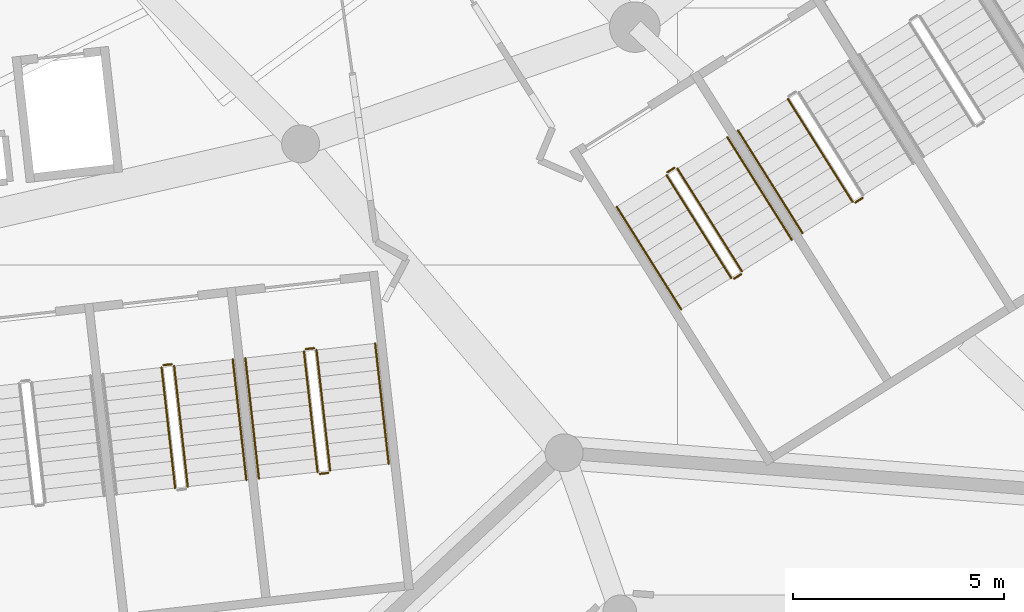
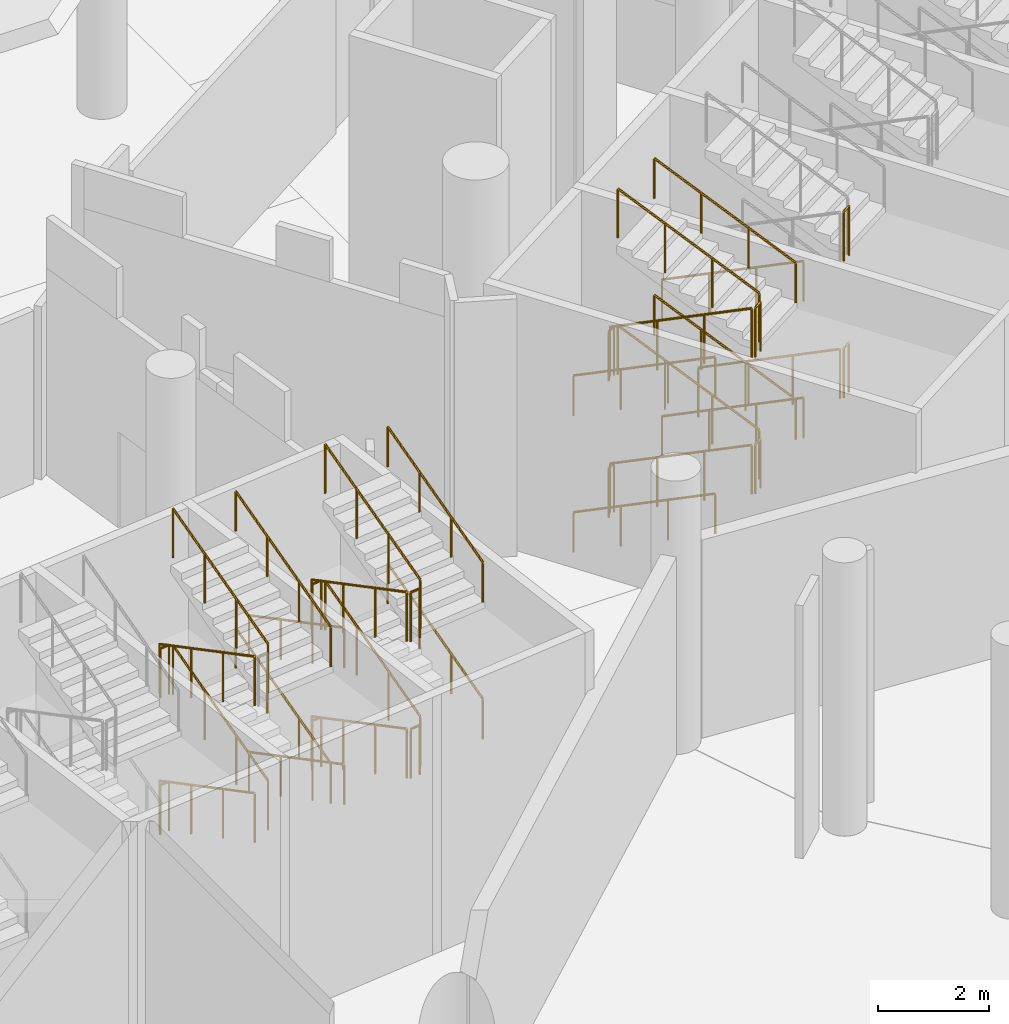
# One storey, part 217 of 249: 37 railings.
"""IFC4 building model written with IfcOpenShell, lengths in metres."""

from ifc_helpers import new_model, si_unit, direction, frame, origin, origin_2d, place, context, subcontext, project, spatial, circle, extrude, material, type_object, element, save


model = new_model("IFC4")

# Units and contexts
model_context = context("Model", 3, precision=1e-05, world=origin(), true_north=direction((0.0, 1.0)))
body_context = subcontext(model_context, "Body", "Model", "MODEL_VIEW")
ifc_project = project(units=[si_unit("LENGTHUNIT", "METRE"), si_unit("AREAUNIT", "SQUARE_METRE"), si_unit("VOLUMEUNIT", "CUBIC_METRE"), si_unit("PLANEANGLEUNIT", "RADIAN"), si_unit("MASSUNIT", "GRAM", prefix="KILO")], contexts=[model_context])

# Site, building, storey
site_placement = place(None, origin())
site = spatial("IfcSite", under=ifc_project, at=site_placement, CompositionType="ELEMENT")
building_placement = place(site_placement, origin())
building = spatial("IfcBuilding", under=site, at=building_placement, Name="Meseta Stadium", CompositionType="ELEMENT")
storey_placement = place(building_placement, frame((0.0, 0.0, 12.0)))
storey = spatial("IfcBuildingStorey", under=building, at=storey_placement, Name="L02", CompositionType="ELEMENT", Elevation=12.0)

# Railings
ifc_material_1 = material(Name="Steel S355", Category="steel")
railing_type_1 = type_object("IfcRailingType", Name="Stair guard 1100", PredefinedType="GUARDRAIL", material=ifc_material_1)
railing_1_placement = place(storey_placement, frame((52.500244140625, -93.847900390625, 0.14990234375)))
element("IfcRailing", 1, at=railing_1_placement, inside=storey, type_object=railing_type_1, Name="ST103 L02 guard 1", PredefinedType="GUARDRAIL", context=body_context, shape_type="SweptSolid", body=[
    extrude(circle(Radius=0.02392578125, at=origin_2d()), frame((0.0, 0.0, 1.076171875), z_axis=(0.10139626197, -0.899747905232, 0.424467319223), x_axis=(0.993709872468, 0.111985219376, 0.0)), (0.0, 0.0, 1.0), 3.1806640625),
    extrude(circle(Radius=0.02099609375, at=origin_2d()), origin(), (0.0, 0.0, 1.0), 1.052001953125),
    extrude(circle(Radius=0.02099609375, at=origin_2d()), frame((0.107421875, -0.953857421875, 0.449951171875)), (0.0, 0.0, 1.0), 1.052001953125),
    extrude(circle(Radius=0.02099609375, at=origin_2d()), frame((0.215087890625, -1.907958984375, 0.900146484375)), (0.0, 0.0, 1.0), 1.052001953125),
    extrude(circle(Radius=0.02099609375, at=origin_2d()), frame((0.322509765625, -2.86181640625, 1.35009765625)), (0.0, 0.0, 1.0), 1.052001953125),
])
railing_2_placement = place(storey_placement, frame((53.120849609375, -96.67626953125, 1.64990234375)))
element("IfcRailing", 2, at=railing_2_placement, inside=storey, type_object=railing_type_1, Name="ST103 L02 guard 3", PredefinedType="GUARDRAIL", context=body_context, shape_type="SweptSolid", body=[
    extrude(circle(Radius=0.02392578125, at=origin_2d()), frame((0.0, 0.0, 1.076171875), z_axis=(-0.101389259755, 0.899762522411, 0.424438006392), x_axis=(-0.993710935447, -0.11197578655, 0.0)), (0.0, 0.0, 1.0), 3.180908203125),
    extrude(circle(Radius=0.02099609375, at=origin_2d()), origin(), (0.0, 0.0, 1.0), 1.052001953125),
    extrude(circle(Radius=0.02099609375, at=origin_2d()), frame((-0.107421875, 0.9541015625, 0.449951171875)), (0.0, 0.0, 1.0), 1.052001953125),
    extrude(circle(Radius=0.02099609375, at=origin_2d()), frame((-0.215087890625, 1.907958984375, 0.900146484375)), (0.0, 0.0, 1.0), 1.052001953125),
    extrude(circle(Radius=0.02099609375, at=origin_2d()), frame((-0.322509765625, 2.862060546875, 1.35009765625)), (0.0, 0.0, 1.0), 1.052001953125),
])
railing_3_placement = place(storey_placement, frame((52.54443359375, -93.792724609375, 3.0)))
element("IfcRailing", 3, at=railing_3_placement, inside=storey, type_object=railing_type_1, Name="ST103 L02 guard 4", PredefinedType="GUARDRAIL", context=body_context, shape_type="SweptSolid", body=[
    extrude(circle(Radius=0.02392578125, at=origin_2d()), frame((0.0, 0.0, 1.076171875), z_axis=(0.993673547442, 0.112307083986, 0.0), x_axis=(-0.112307083986, 0.993673547442, 0.0)), (0.0, 0.0, 1.0), 0.199951171875),
    extrude(circle(Radius=0.02099609375, at=origin_2d()), origin(), (0.0, 0.0, 1.0), 1.052001953125),
    extrude(circle(Radius=0.02099609375, at=origin_2d()), frame((0.19873046875, 0.0224609375, 0.0)), (0.0, 0.0, 1.0), 1.052001953125),
])
railing_4_placement = place(storey_placement, frame((52.500244140625, -93.847900390625, 3.14990234375)))
element("IfcRailing", 4, at=railing_4_placement, inside=storey, type_object=railing_type_1, Name="ST103 L02 guard 5", PredefinedType="GUARDRAIL", context=body_context, shape_type="SweptSolid", body=[
    extrude(circle(Radius=0.02392578125, at=origin_2d()), frame((0.0, 0.0, 1.076171875), z_axis=(0.10139626197, -0.899747905232, 0.424467319223), x_axis=(0.993709872468, 0.111985219376, 0.0)), (0.0, 0.0, 1.0), 3.1806640625),
    extrude(circle(Radius=0.02099609375, at=origin_2d()), origin(), (0.0, 0.0, 1.0), 1.052001953125),
    extrude(circle(Radius=0.02099609375, at=origin_2d()), frame((0.107421875, -0.953857421875, 0.449951171875)), (0.0, 0.0, 1.0), 1.052001953125),
    extrude(circle(Radius=0.02099609375, at=origin_2d()), frame((0.215087890625, -1.907958984375, 0.900146484375)), (0.0, 0.0, 1.0), 1.052001953125),
    extrude(circle(Radius=0.02099609375, at=origin_2d()), frame((0.322509765625, -2.86181640625, 1.35009765625)), (0.0, 0.0, 1.0), 1.052001953125),
])
railing_5_placement = place(storey_placement, frame((53.120849609375, -96.67626953125, 4.64990234375)))
element("IfcRailing", 5, at=railing_5_placement, inside=storey, type_object=railing_type_1, Name="ST103 L02 guard 7", PredefinedType="GUARDRAIL", context=body_context, shape_type="SweptSolid", body=[
    extrude(circle(Radius=0.02392578125, at=origin_2d()), frame((0.0, 0.0, 1.076171875), z_axis=(-0.101389259755, 0.899762522411, 0.424438006392), x_axis=(-0.993710935447, -0.11197578655, 0.0)), (0.0, 0.0, 1.0), 3.180908203125),
    extrude(circle(Radius=0.02099609375, at=origin_2d()), origin(), (0.0, 0.0, 1.0), 1.052001953125),
    extrude(circle(Radius=0.02099609375, at=origin_2d()), frame((-0.107421875, 0.9541015625, 0.449951171875)), (0.0, 0.0, 1.0), 1.052001953125),
    extrude(circle(Radius=0.02099609375, at=origin_2d()), frame((-0.215087890625, 1.907958984375, 0.900146484375)), (0.0, 0.0, 1.0), 1.052001953125),
    extrude(circle(Radius=0.02099609375, at=origin_2d()), frame((-0.322509765625, 2.862060546875, 1.35009765625)), (0.0, 0.0, 1.0), 1.052001953125),
])
railing_6_placement = place(storey_placement, frame((52.54443359375, -93.792724609375, 0.0)))
element("IfcRailing", 6, at=railing_6_placement, inside=storey, type_object=railing_type_1, Name="ST103 L02 guard 8", PredefinedType="GUARDRAIL", context=body_context, shape_type="SweptSolid", body=[
    extrude(circle(Radius=0.02392578125, at=origin_2d()), frame((0.0, 0.0, 1.076171875), z_axis=(0.993673547442, 0.112307083986, 0.0), x_axis=(-0.112307083986, 0.993673547442, 0.0)), (0.0, 0.0, 1.0), 0.199951171875),
    extrude(circle(Radius=0.02099609375, at=origin_2d()), origin(), (0.0, 0.0, 1.0), 1.052001953125),
    extrude(circle(Radius=0.02099609375, at=origin_2d()), frame((0.19873046875, 0.0224609375, 0.0)), (0.0, 0.0, 1.0), 1.052001953125),
])
railing_7_placement = place(storey_placement, frame((55.87890625, -93.46728515625, 0.14990234375)))
element("IfcRailing", 7, at=railing_7_placement, inside=storey, type_object=railing_type_1, Name="ST104 L02 guard 1", PredefinedType="GUARDRAIL", context=body_context, shape_type="SweptSolid", body=[
    extrude(circle(Radius=0.02392578125, at=origin_2d()), frame((0.0, 0.0, 1.076171875), z_axis=(0.10139626197, -0.899747905232, 0.424467319223), x_axis=(0.993709872468, 0.111985219376, 0.0)), (0.0, 0.0, 1.0), 3.1806640625),
    extrude(circle(Radius=0.02099609375, at=origin_2d()), origin(), (0.0, 0.0, 1.0), 1.052001953125),
    extrude(circle(Radius=0.02099609375, at=origin_2d()), frame((0.107421875, -0.953857421875, 0.449951171875)), (0.0, 0.0, 1.0), 1.052001953125),
    extrude(circle(Radius=0.02099609375, at=origin_2d()), frame((0.215087890625, -1.907958984375, 0.900146484375)), (0.0, 0.0, 1.0), 1.052001953125),
    extrude(circle(Radius=0.02099609375, at=origin_2d()), frame((0.322509765625, -2.86181640625, 1.35009765625)), (0.0, 0.0, 1.0), 1.052001953125),
])
railing_8_placement = place(storey_placement, frame((56.256591796875, -96.373291015625, 1.5)))
element("IfcRailing", 8, at=railing_8_placement, inside=storey, type_object=railing_type_1, Name="ST104 L02 guard 2", PredefinedType="GUARDRAIL", context=body_context, shape_type="SweptSolid", body=[
    extrude(circle(Radius=0.02392578125, at=origin_2d()), frame((0.0, 0.0, 1.076171875), z_axis=(0.993673547442, 0.112307083986, 0.0), x_axis=(-0.112307083986, 0.993673547442, 0.0)), (0.0, 0.0, 1.0), 0.199951171875),
    extrude(circle(Radius=0.02099609375, at=origin_2d()), origin(), (0.0, 0.0, 1.0), 1.052001953125),
    extrude(circle(Radius=0.02099609375, at=origin_2d()), frame((0.19873046875, 0.0224609375, 0.0)), (0.0, 0.0, 1.0), 1.052001953125),
])
railing_9_placement = place(storey_placement, frame((56.49951171875, -96.29541015625, 1.64990234375)))
element("IfcRailing", 9, at=railing_9_placement, inside=storey, type_object=railing_type_1, Name="ST104 L02 guard 3", PredefinedType="GUARDRAIL", context=body_context, shape_type="SweptSolid", body=[
    extrude(circle(Radius=0.02392578125, at=origin_2d()), frame((0.0, 0.0, 1.076171875), z_axis=(-0.10139626197, 0.899747905232, 0.424467319223), x_axis=(-0.993709872468, -0.111985219376, 0.0)), (0.0, 0.0, 1.0), 3.1806640625),
    extrude(circle(Radius=0.02099609375, at=origin_2d()), origin(), (0.0, 0.0, 1.0), 1.052001953125),
    extrude(circle(Radius=0.02099609375, at=origin_2d()), frame((-0.107421875, 0.953857421875, 0.449951171875)), (0.0, 0.0, 1.0), 1.052001953125),
    extrude(circle(Radius=0.02099609375, at=origin_2d()), frame((-0.215087890625, 1.907958984375, 0.900146484375)), (0.0, 0.0, 1.0), 1.052001953125),
    extrude(circle(Radius=0.02099609375, at=origin_2d()), frame((-0.322509765625, 2.86181640625, 1.35009765625)), (0.0, 0.0, 1.0), 1.052001953125),
])
railing_10_placement = place(storey_placement, frame((55.923095703125, -93.411865234375, 3.0)))
element("IfcRailing", 10, at=railing_10_placement, inside=storey, type_object=railing_type_1, Name="ST104 L02 guard 4", PredefinedType="GUARDRAIL", context=body_context, shape_type="SweptSolid", body=[
    extrude(circle(Radius=0.02392578125, at=origin_2d()), frame((0.0, 0.0, 1.076171875), z_axis=(0.993809063983, 0.111101504696, 0.0), x_axis=(-0.111101504696, 0.993809063983, 0.0)), (0.0, 0.0, 1.0), 0.199951171875),
    extrude(circle(Radius=0.02099609375, at=origin_2d()), origin(), (0.0, 0.0, 1.0), 1.052001953125),
    extrude(circle(Radius=0.02099609375, at=origin_2d()), frame((0.19873046875, 0.022216796875, 0.0)), (0.0, 0.0, 1.0), 1.052001953125),
])
railing_11_placement = place(storey_placement, frame((55.87890625, -93.46728515625, 3.14990234375)))
element("IfcRailing", 11, at=railing_11_placement, inside=storey, type_object=railing_type_1, Name="ST104 L02 guard 5", PredefinedType="GUARDRAIL", context=body_context, shape_type="SweptSolid", body=[
    extrude(circle(Radius=0.02392578125, at=origin_2d()), frame((0.0, 0.0, 1.076171875), z_axis=(0.10139626197, -0.899747905232, 0.424467319223), x_axis=(0.993709872468, 0.111985219376, 0.0)), (0.0, 0.0, 1.0), 3.1806640625),
    extrude(circle(Radius=0.02099609375, at=origin_2d()), origin(), (0.0, 0.0, 1.0), 1.052001953125),
    extrude(circle(Radius=0.02099609375, at=origin_2d()), frame((0.107421875, -0.953857421875, 0.449951171875)), (0.0, 0.0, 1.0), 1.052001953125),
    extrude(circle(Radius=0.02099609375, at=origin_2d()), frame((0.215087890625, -1.907958984375, 0.900146484375)), (0.0, 0.0, 1.0), 1.052001953125),
    extrude(circle(Radius=0.02099609375, at=origin_2d()), frame((0.322509765625, -2.86181640625, 1.35009765625)), (0.0, 0.0, 1.0), 1.052001953125),
])
railing_12_placement = place(storey_placement, frame((56.256591796875, -96.373291015625, 4.5)))
element("IfcRailing", 12, at=railing_12_placement, inside=storey, type_object=railing_type_1, Name="ST104 L02 guard 6", PredefinedType="GUARDRAIL", context=body_context, shape_type="SweptSolid", body=[
    extrude(circle(Radius=0.02392578125, at=origin_2d()), frame((0.0, 0.0, 1.076171875), z_axis=(0.993673547442, 0.112307083986, 0.0), x_axis=(-0.112307083986, 0.993673547442, 0.0)), (0.0, 0.0, 1.0), 0.199951171875),
    extrude(circle(Radius=0.02099609375, at=origin_2d()), origin(), (0.0, 0.0, 1.0), 1.052001953125),
    extrude(circle(Radius=0.02099609375, at=origin_2d()), frame((0.19873046875, 0.0224609375, 0.0)), (0.0, 0.0, 1.0), 1.052001953125),
])
railing_13_placement = place(storey_placement, frame((56.49951171875, -96.29541015625, 4.64990234375)))
element("IfcRailing", 13, at=railing_13_placement, inside=storey, type_object=railing_type_1, Name="ST104 L02 guard 7", PredefinedType="GUARDRAIL", context=body_context, shape_type="SweptSolid", body=[
    extrude(circle(Radius=0.02392578125, at=origin_2d()), frame((0.0, 0.0, 1.076171875), z_axis=(-0.10139626197, 0.899747905232, 0.424467319223), x_axis=(-0.993709872468, -0.111985219376, 0.0)), (0.0, 0.0, 1.0), 3.1806640625),
    extrude(circle(Radius=0.02099609375, at=origin_2d()), origin(), (0.0, 0.0, 1.0), 1.052001953125),
    extrude(circle(Radius=0.02099609375, at=origin_2d()), frame((-0.107421875, 0.953857421875, 0.449951171875)), (0.0, 0.0, 1.0), 1.052001953125),
    extrude(circle(Radius=0.02099609375, at=origin_2d()), frame((-0.215087890625, 1.907958984375, 0.900146484375)), (0.0, 0.0, 1.0), 1.052001953125),
    extrude(circle(Radius=0.02099609375, at=origin_2d()), frame((-0.322509765625, 2.86181640625, 1.35009765625)), (0.0, 0.0, 1.0), 1.052001953125),
])
railing_14_placement = place(storey_placement, frame((55.923095703125, -93.411865234375, 0.0)))
element("IfcRailing", 14, at=railing_14_placement, inside=storey, type_object=railing_type_1, Name="ST104 L02 guard 8", PredefinedType="GUARDRAIL", context=body_context, shape_type="SweptSolid", body=[
    extrude(circle(Radius=0.02392578125, at=origin_2d()), frame((0.0, 0.0, 1.076171875), z_axis=(0.993809063983, 0.111101504696, 0.0), x_axis=(-0.111101504696, 0.993809063983, 0.0)), (0.0, 0.0, 1.0), 0.199951171875),
    extrude(circle(Radius=0.02099609375, at=origin_2d()), origin(), (0.0, 0.0, 1.0), 1.052001953125),
    extrude(circle(Radius=0.02099609375, at=origin_2d()), frame((0.19873046875, 0.022216796875, 0.0)), (0.0, 0.0, 1.0), 1.052001953125),
])
railing_15_placement = place(storey_placement, frame((64.4853515625, -89.286865234375, 0.14990234375)))
element("IfcRailing", 15, at=railing_15_placement, inside=storey, type_object=railing_type_1, Name="ST105 L02 guard 1", PredefinedType="GUARDRAIL", context=body_context, shape_type="SweptSolid", body=[
    extrude(circle(Radius=0.02392578125, at=origin_2d()), frame((0.0, 0.0, 1.076171875), z_axis=(0.481702688975, -0.766687087345, 0.424444848635), x_axis=(0.84674347122, 0.532001404082, 0.0)), (0.0, 0.0, 1.0), 3.180908203125),
    extrude(circle(Radius=0.02099609375, at=origin_2d()), origin(), (0.0, 0.0, 1.0), 1.052001953125),
    extrude(circle(Radius=0.02099609375, at=origin_2d()), frame((0.5107421875, -0.81298828125, 0.449951171875)), (0.0, 0.0, 1.0), 1.052001953125),
    extrude(circle(Radius=0.02099609375, at=origin_2d()), frame((1.021484375, -1.625732421875, 0.900146484375)), (0.0, 0.0, 1.0), 1.052001953125),
    extrude(circle(Radius=0.02099609375, at=origin_2d()), frame((1.5322265625, -2.438720703125, 1.35009765625)), (0.0, 0.0, 1.0), 1.052001953125),
])
railing_16_placement = place(storey_placement, frame((66.08642578125, -91.7412109375, 1.5)))
element("IfcRailing", 16, at=railing_16_placement, inside=storey, type_object=railing_type_1, Name="ST105 L02 guard 2", PredefinedType="GUARDRAIL", context=body_context, shape_type="SweptSolid", body=[
    extrude(circle(Radius=0.02392578125, at=origin_2d()), frame((0.0, 0.0, 1.076171875), z_axis=(0.846762178531, 0.531971628011, 0.0), x_axis=(-0.531971628011, 0.846762178531, 0.0)), (0.0, 0.0, 1.0), 0.2001953125),
    extrude(circle(Radius=0.02099609375, at=origin_2d()), origin(), (0.0, 0.0, 1.0), 1.052001953125),
    extrude(circle(Radius=0.02099609375, at=origin_2d()), frame((0.16943359375, 0.1064453125, 0.0)), (0.0, 0.0, 1.0), 1.052001953125),
])
railing_17_placement = place(storey_placement, frame((66.271484375, -91.56591796875, 1.64990234375)))
element("IfcRailing", 17, at=railing_17_placement, inside=storey, type_object=railing_type_1, Name="ST105 L02 guard 3", PredefinedType="GUARDRAIL", context=body_context, shape_type="SweptSolid", body=[
    extrude(circle(Radius=0.02392578125, at=origin_2d()), frame((0.0, 0.0, 1.076171875), z_axis=(-0.481731036161, 0.766655447606, 0.424469826318), x_axis=(-0.846719477248, -0.53203959143, 0.0)), (0.0, 0.0, 1.0), 3.1806640625),
    extrude(circle(Radius=0.02099609375, at=origin_2d()), origin(), (0.0, 0.0, 1.0), 1.052001953125),
    extrude(circle(Radius=0.02099609375, at=origin_2d()), frame((-0.5107421875, 0.812744140625, 0.449951171875)), (0.0, 0.0, 1.0), 1.052001953125),
    extrude(circle(Radius=0.02099609375, at=origin_2d()), frame((-1.021484375, 1.625732421875, 0.900146484375)), (0.0, 0.0, 1.0), 1.052001953125),
    extrude(circle(Radius=0.02099609375, at=origin_2d()), frame((-1.5322265625, 2.4384765625, 1.35009765625)), (0.0, 0.0, 1.0), 1.052001953125),
])
railing_18_placement = place(storey_placement, frame((64.5009765625, -89.218017578125, 3.0)))
element("IfcRailing", 18, at=railing_18_placement, inside=storey, type_object=railing_type_1, Name="ST105 L02 guard 4", PredefinedType="GUARDRAIL", context=body_context, shape_type="SweptSolid", body=[
    extrude(circle(Radius=0.02392578125, at=origin_2d()), frame((0.0, 0.0, 1.076171875), z_axis=(0.846762178531, 0.531971628011, 0.0), x_axis=(-0.531971628011, 0.846762178531, 0.0)), (0.0, 0.0, 1.0), 0.2001953125),
    extrude(circle(Radius=0.02099609375, at=origin_2d()), origin(), (0.0, 0.0, 1.0), 1.052001953125),
    extrude(circle(Radius=0.02099609375, at=origin_2d()), frame((0.16943359375, 0.1064453125, 0.0)), (0.0, 0.0, 1.0), 1.052001953125),
])
railing_19_placement = place(storey_placement, frame((64.4853515625, -89.286865234375, 3.14990234375)))
element("IfcRailing", 19, at=railing_19_placement, inside=storey, type_object=railing_type_1, Name="ST105 L02 guard 5", PredefinedType="GUARDRAIL", context=body_context, shape_type="SweptSolid", body=[
    extrude(circle(Radius=0.02392578125, at=origin_2d()), frame((0.0, 0.0, 1.076171875), z_axis=(0.481702688975, -0.766687087345, 0.424444848635), x_axis=(0.84674347122, 0.532001404082, 0.0)), (0.0, 0.0, 1.0), 3.180908203125),
    extrude(circle(Radius=0.02099609375, at=origin_2d()), origin(), (0.0, 0.0, 1.0), 1.052001953125),
    extrude(circle(Radius=0.02099609375, at=origin_2d()), frame((0.5107421875, -0.81298828125, 0.449951171875)), (0.0, 0.0, 1.0), 1.052001953125),
    extrude(circle(Radius=0.02099609375, at=origin_2d()), frame((1.021484375, -1.625732421875, 0.900146484375)), (0.0, 0.0, 1.0), 1.052001953125),
    extrude(circle(Radius=0.02099609375, at=origin_2d()), frame((1.5322265625, -2.438720703125, 1.35009765625)), (0.0, 0.0, 1.0), 1.052001953125),
])
railing_20_placement = place(storey_placement, frame((66.08642578125, -91.7412109375, 4.5)))
element("IfcRailing", 20, at=railing_20_placement, inside=storey, type_object=railing_type_1, Name="ST105 L02 guard 6", PredefinedType="GUARDRAIL", context=body_context, shape_type="SweptSolid", body=[
    extrude(circle(Radius=0.02392578125, at=origin_2d()), frame((0.0, 0.0, 1.076171875), z_axis=(0.846762178531, 0.531971628011, 0.0), x_axis=(-0.531971628011, 0.846762178531, 0.0)), (0.0, 0.0, 1.0), 0.2001953125),
    extrude(circle(Radius=0.02099609375, at=origin_2d()), origin(), (0.0, 0.0, 1.0), 1.052001953125),
    extrude(circle(Radius=0.02099609375, at=origin_2d()), frame((0.16943359375, 0.1064453125, 0.0)), (0.0, 0.0, 1.0), 1.052001953125),
])
railing_21_placement = place(storey_placement, frame((66.271484375, -91.56591796875, 4.64990234375)))
element("IfcRailing", 21, at=railing_21_placement, inside=storey, type_object=railing_type_1, Name="ST105 L02 guard 7", PredefinedType="GUARDRAIL", context=body_context, shape_type="SweptSolid", body=[
    extrude(circle(Radius=0.02392578125, at=origin_2d()), frame((0.0, 0.0, 1.076171875), z_axis=(-0.481731036161, 0.766655447606, 0.424469826318), x_axis=(-0.846719477248, -0.53203959143, 0.0)), (0.0, 0.0, 1.0), 3.1806640625),
    extrude(circle(Radius=0.02099609375, at=origin_2d()), origin(), (0.0, 0.0, 1.0), 1.052001953125),
    extrude(circle(Radius=0.02099609375, at=origin_2d()), frame((-0.5107421875, 0.812744140625, 0.449951171875)), (0.0, 0.0, 1.0), 1.052001953125),
    extrude(circle(Radius=0.02099609375, at=origin_2d()), frame((-1.021484375, 1.625732421875, 0.900146484375)), (0.0, 0.0, 1.0), 1.052001953125),
    extrude(circle(Radius=0.02099609375, at=origin_2d()), frame((-1.5322265625, 2.4384765625, 1.35009765625)), (0.0, 0.0, 1.0), 1.052001953125),
])
railing_22_placement = place(storey_placement, frame((64.5009765625, -89.218017578125, 0.0)))
element("IfcRailing", 22, at=railing_22_placement, inside=storey, type_object=railing_type_1, Name="ST105 L02 guard 8", PredefinedType="GUARDRAIL", context=body_context, shape_type="SweptSolid", body=[
    extrude(circle(Radius=0.02392578125, at=origin_2d()), frame((0.0, 0.0, 1.076171875), z_axis=(0.846762178531, 0.531971628011, 0.0), x_axis=(-0.531971628011, 0.846762178531, 0.0)), (0.0, 0.0, 1.0), 0.2001953125),
    extrude(circle(Radius=0.02099609375, at=origin_2d()), origin(), (0.0, 0.0, 1.0), 1.052001953125),
    extrude(circle(Radius=0.02099609375, at=origin_2d()), frame((0.16943359375, 0.1064453125, 0.0)), (0.0, 0.0, 1.0), 1.052001953125),
])
railing_23_placement = place(storey_placement, frame((67.3642578125, -87.47802734375, 0.14990234375)))
element("IfcRailing", 23, at=railing_23_placement, inside=storey, type_object=railing_type_1, Name="ST106 L02 guard 1", PredefinedType="GUARDRAIL", context=body_context, shape_type="SweptSolid", body=[
    extrude(circle(Radius=0.02392578125, at=origin_2d()), frame((0.0, 0.0, 1.076171875), z_axis=(0.481702688975, -0.766687087345, 0.424444848635), x_axis=(0.84674347122, 0.532001404082, 0.0)), (0.0, 0.0, 1.0), 3.180908203125),
    extrude(circle(Radius=0.02099609375, at=origin_2d()), origin(), (0.0, 0.0, 1.0), 1.052001953125),
    extrude(circle(Radius=0.02099609375, at=origin_2d()), frame((0.5107421875, -0.81298828125, 0.449951171875)), (0.0, 0.0, 1.0), 1.052001953125),
    extrude(circle(Radius=0.02099609375, at=origin_2d()), frame((1.021484375, -1.625732421875, 0.900146484375)), (0.0, 0.0, 1.0), 1.052001953125),
    extrude(circle(Radius=0.02099609375, at=origin_2d()), frame((1.5322265625, -2.438720703125, 1.35009765625)), (0.0, 0.0, 1.0), 1.052001953125),
])
for number, where, name in (
    (24, (68.96533203125, -89.932373046875, 1.5), "ST106 L02 guard 2"),
    (25, (68.96533203125, -89.932373046875, 4.5), "ST106 L02 guard 6"),
):
    element("IfcRailing", number, at=place(storey_placement, frame(where)), inside=storey, type_object=railing_type_1, Name=name, PredefinedType="GUARDRAIL", context=body_context, shape_type="SweptSolid", body=[
        extrude(circle(Radius=0.02392578125, at=origin_2d()), frame((0.0, 0.0, 1.076171875), z_axis=(0.846762178531, 0.531971628011, 0.0), x_axis=(-0.531971628011, 0.846762178531, 0.0)), (0.0, 0.0, 1.0), 0.2001953125),
        extrude(circle(Radius=0.02099609375, at=origin_2d()), origin(), (0.0, 0.0, 1.0), 1.052001953125),
        extrude(circle(Radius=0.02099609375, at=origin_2d()), frame((0.16943359375, 0.1064453125, 0.0)), (0.0, 0.0, 1.0), 1.052001953125),
    ])
ifc_material_2 = material(Name="Steel S355", Category="steel")
railing_type_2 = type_object("IfcRailingType", Name="Stair handrail 900", PredefinedType="HANDRAIL", material=ifc_material_2)
for number, where, name in (
    (26, (54.511962890625, -96.51953125, 1.64990234375), "ST103 L02 handrail 2"),
    (27, (54.511962890625, -96.51953125, 4.64990234375), "ST103 L02 handrail 4"),
):
    element("IfcRailing", number, at=place(storey_placement, frame(where)), inside=storey, type_object=railing_type_2, Name=name, PredefinedType="HANDRAIL", context=body_context, shape_type="SweptSolid", body=[
        extrude(circle(Radius=0.02392578125, at=origin_2d()), frame((0.0, 0.0, 0.8759765625), z_axis=(-0.101313295961, 0.899769521631, 0.42444130808), x_axis=(-0.993720364048, -0.111892082278, 0.0)), (0.0, 0.0, 1.0), 3.180908203125),
        extrude(circle(Radius=0.02099609375, at=origin_2d()), origin(), (0.0, 0.0, 1.0), 0.851806640625),
        extrude(circle(Radius=0.02099609375, at=origin_2d()), frame((-0.107421875, 0.9541015625, 0.449951171875)), (0.0, 0.0, 1.0), 0.851806640625),
        extrude(circle(Radius=0.02099609375, at=origin_2d()), frame((-0.21484375, 1.907958984375, 0.900146484375)), (0.0, 0.0, 1.0), 0.851806640625),
        extrude(circle(Radius=0.02099609375, at=origin_2d()), frame((-0.322265625, 2.862060546875, 1.35009765625)), (0.0, 0.0, 1.0), 0.851806640625),
    ])
railing_24_placement = place(storey_placement, frame((54.48779296875, -93.6240234375, 0.14990234375)))
element("IfcRailing", 28, at=railing_24_placement, inside=storey, type_object=railing_type_2, Name="ST104 L02 handrail 1", PredefinedType="HANDRAIL", context=body_context, shape_type="SweptSolid", body=[
    extrude(circle(Radius=0.02392578125, at=origin_2d()), frame((0.0, 0.0, 0.8759765625), z_axis=(0.101320293039, -0.899754905305, 0.424470621595), x_axis=(0.993719302648, 0.111901508232, 0.0)), (0.0, 0.0, 1.0), 3.1806640625),
    extrude(circle(Radius=0.02099609375, at=origin_2d()), origin(), (0.0, 0.0, 1.0), 0.851806640625),
    extrude(circle(Radius=0.02099609375, at=origin_2d()), frame((0.107421875, -0.953857421875, 0.449951171875)), (0.0, 0.0, 1.0), 0.851806640625),
    extrude(circle(Radius=0.02099609375, at=origin_2d()), frame((0.21484375, -1.907958984375, 0.900146484375)), (0.0, 0.0, 1.0), 0.851806640625),
    extrude(circle(Radius=0.02099609375, at=origin_2d()), frame((0.322265625, -2.86181640625, 1.35009765625)), (0.0, 0.0, 1.0), 0.851806640625),
])
railing_25_placement = place(storey_placement, frame((57.890625, -96.138671875, 1.64990234375)))
element("IfcRailing", 29, at=railing_25_placement, inside=storey, type_object=railing_type_2, Name="ST104 L02 handrail 2", PredefinedType="HANDRAIL", context=body_context, shape_type="SweptSolid", body=[
    extrude(circle(Radius=0.02392578125, at=origin_2d()), frame((0.0, 0.0, 0.8759765625), z_axis=(-0.10139626197, 0.899747905232, 0.424467319223), x_axis=(-0.993709872468, -0.111985219376, 0.0)), (0.0, 0.0, 1.0), 3.1806640625),
    extrude(circle(Radius=0.02099609375, at=origin_2d()), origin(), (0.0, 0.0, 1.0), 0.851806640625),
    extrude(circle(Radius=0.02099609375, at=origin_2d()), frame((-0.107421875, 0.953857421875, 0.449951171875)), (0.0, 0.0, 1.0), 0.851806640625),
    extrude(circle(Radius=0.02099609375, at=origin_2d()), frame((-0.215087890625, 1.907958984375, 0.900146484375)), (0.0, 0.0, 1.0), 0.851806640625),
    extrude(circle(Radius=0.02099609375, at=origin_2d()), frame((-0.322509765625, 2.86181640625, 1.35009765625)), (0.0, 0.0, 1.0), 0.851806640625),
])
railing_26_placement = place(storey_placement, frame((54.48779296875, -93.6240234375, 3.14990234375)))
element("IfcRailing", 30, at=railing_26_placement, inside=storey, type_object=railing_type_2, Name="ST104 L02 handrail 3", PredefinedType="HANDRAIL", context=body_context, shape_type="SweptSolid", body=[
    extrude(circle(Radius=0.02392578125, at=origin_2d()), frame((0.0, 0.0, 0.8759765625), z_axis=(0.101320293039, -0.899754905305, 0.424470621595), x_axis=(0.993719302648, 0.111901508232, 0.0)), (0.0, 0.0, 1.0), 3.1806640625),
    extrude(circle(Radius=0.02099609375, at=origin_2d()), origin(), (0.0, 0.0, 1.0), 0.851806640625),
    extrude(circle(Radius=0.02099609375, at=origin_2d()), frame((0.107421875, -0.953857421875, 0.449951171875)), (0.0, 0.0, 1.0), 0.851806640625),
    extrude(circle(Radius=0.02099609375, at=origin_2d()), frame((0.21484375, -1.907958984375, 0.900146484375)), (0.0, 0.0, 1.0), 0.851806640625),
    extrude(circle(Radius=0.02099609375, at=origin_2d()), frame((0.322265625, -2.86181640625, 1.35009765625)), (0.0, 0.0, 1.0), 0.851806640625),
])
railing_27_placement = place(storey_placement, frame((57.890625, -96.138671875, 4.64990234375)))
element("IfcRailing", 31, at=railing_27_placement, inside=storey, type_object=railing_type_2, Name="ST104 L02 handrail 4", PredefinedType="HANDRAIL", context=body_context, shape_type="SweptSolid", body=[
    extrude(circle(Radius=0.02392578125, at=origin_2d()), frame((0.0, 0.0, 0.8759765625), z_axis=(-0.10139626197, 0.899747905232, 0.424467319223), x_axis=(-0.993709872468, -0.111985219376, 0.0)), (0.0, 0.0, 1.0), 3.1806640625),
    extrude(circle(Radius=0.02099609375, at=origin_2d()), origin(), (0.0, 0.0, 1.0), 0.851806640625),
    extrude(circle(Radius=0.02099609375, at=origin_2d()), frame((-0.107421875, 0.953857421875, 0.449951171875)), (0.0, 0.0, 1.0), 0.851806640625),
    extrude(circle(Radius=0.02099609375, at=origin_2d()), frame((-0.215087890625, 1.907958984375, 0.900146484375)), (0.0, 0.0, 1.0), 0.851806640625),
    extrude(circle(Radius=0.02099609375, at=origin_2d()), frame((-0.322509765625, 2.86181640625, 1.35009765625)), (0.0, 0.0, 1.0), 0.851806640625),
])
railing_28_placement = place(storey_placement, frame((63.2998046875, -90.03173828125, 0.14990234375)))
element("IfcRailing", 32, at=railing_28_placement, inside=storey, type_object=railing_type_2, Name="ST105 L02 handrail 1", PredefinedType="HANDRAIL", context=body_context, shape_type="SweptSolid", body=[
    extrude(circle(Radius=0.02392578125, at=origin_2d()), frame((0.0, 0.0, 0.8759765625), z_axis=(0.481702688975, -0.766687087345, 0.424444848635), x_axis=(0.84674347122, 0.532001404082, 0.0)), (0.0, 0.0, 1.0), 3.180908203125),
    extrude(circle(Radius=0.02099609375, at=origin_2d()), origin(), (0.0, 0.0, 1.0), 0.851806640625),
    extrude(circle(Radius=0.02099609375, at=origin_2d()), frame((0.5107421875, -0.81298828125, 0.449951171875)), (0.0, 0.0, 1.0), 0.851806640625),
    extrude(circle(Radius=0.02099609375, at=origin_2d()), frame((1.021484375, -1.625732421875, 0.900146484375)), (0.0, 0.0, 1.0), 0.851806640625),
    extrude(circle(Radius=0.02099609375, at=origin_2d()), frame((1.5322265625, -2.438720703125, 1.35009765625)), (0.0, 0.0, 1.0), 0.851806640625),
])
railing_29_placement = place(storey_placement, frame((67.45703125, -90.821044921875, 1.64990234375)))
element("IfcRailing", 33, at=railing_29_placement, inside=storey, type_object=railing_type_2, Name="ST105 L02 handrail 2", PredefinedType="HANDRAIL", context=body_context, shape_type="SweptSolid", body=[
    extrude(circle(Radius=0.02392578125, at=origin_2d()), frame((0.0, 0.0, 0.8759765625), z_axis=(-0.481731036161, 0.766655447606, 0.424469826318), x_axis=(-0.846719477248, -0.53203959143, 0.0)), (0.0, 0.0, 1.0), 3.1806640625),
    extrude(circle(Radius=0.02099609375, at=origin_2d()), origin(), (0.0, 0.0, 1.0), 0.851806640625),
    extrude(circle(Radius=0.02099609375, at=origin_2d()), frame((-0.5107421875, 0.812744140625, 0.449951171875)), (0.0, 0.0, 1.0), 0.851806640625),
    extrude(circle(Radius=0.02099609375, at=origin_2d()), frame((-1.021484375, 1.625732421875, 0.900146484375)), (0.0, 0.0, 1.0), 0.851806640625),
    extrude(circle(Radius=0.02099609375, at=origin_2d()), frame((-1.5322265625, 2.4384765625, 1.35009765625)), (0.0, 0.0, 1.0), 0.851806640625),
])
railing_30_placement = place(storey_placement, frame((63.2998046875, -90.03173828125, 3.14990234375)))
element("IfcRailing", 34, at=railing_30_placement, inside=storey, type_object=railing_type_2, Name="ST105 L02 handrail 3", PredefinedType="HANDRAIL", context=body_context, shape_type="SweptSolid", body=[
    extrude(circle(Radius=0.02392578125, at=origin_2d()), frame((0.0, 0.0, 0.8759765625), z_axis=(0.481702688975, -0.766687087345, 0.424444848635), x_axis=(0.84674347122, 0.532001404082, 0.0)), (0.0, 0.0, 1.0), 3.180908203125),
    extrude(circle(Radius=0.02099609375, at=origin_2d()), origin(), (0.0, 0.0, 1.0), 0.851806640625),
    extrude(circle(Radius=0.02099609375, at=origin_2d()), frame((0.5107421875, -0.81298828125, 0.449951171875)), (0.0, 0.0, 1.0), 0.851806640625),
    extrude(circle(Radius=0.02099609375, at=origin_2d()), frame((1.021484375, -1.625732421875, 0.900146484375)), (0.0, 0.0, 1.0), 0.851806640625),
    extrude(circle(Radius=0.02099609375, at=origin_2d()), frame((1.5322265625, -2.438720703125, 1.35009765625)), (0.0, 0.0, 1.0), 0.851806640625),
])
railing_31_placement = place(storey_placement, frame((67.45703125, -90.821044921875, 4.64990234375)))
element("IfcRailing", 35, at=railing_31_placement, inside=storey, type_object=railing_type_2, Name="ST105 L02 handrail 4", PredefinedType="HANDRAIL", context=body_context, shape_type="SweptSolid", body=[
    extrude(circle(Radius=0.02392578125, at=origin_2d()), frame((0.0, 0.0, 0.8759765625), z_axis=(-0.481731036161, 0.766655447606, 0.424469826318), x_axis=(-0.846719477248, -0.53203959143, 0.0)), (0.0, 0.0, 1.0), 3.1806640625),
    extrude(circle(Radius=0.02099609375, at=origin_2d()), origin(), (0.0, 0.0, 1.0), 0.851806640625),
    extrude(circle(Radius=0.02099609375, at=origin_2d()), frame((-0.5107421875, 0.812744140625, 0.449951171875)), (0.0, 0.0, 1.0), 0.851806640625),
    extrude(circle(Radius=0.02099609375, at=origin_2d()), frame((-1.021484375, 1.625732421875, 0.900146484375)), (0.0, 0.0, 1.0), 0.851806640625),
    extrude(circle(Radius=0.02099609375, at=origin_2d()), frame((-1.5322265625, 2.4384765625, 1.35009765625)), (0.0, 0.0, 1.0), 0.851806640625),
])
for number, where, name in (
    (36, (66.1787109375, -88.222900390625, 0.14990234375), "ST106 L02 handrail 1"),
    (37, (66.1787109375, -88.222900390625, 3.14990234375), "ST106 L02 handrail 3"),
):
    element("IfcRailing", number, at=place(storey_placement, frame(where)), inside=storey, type_object=railing_type_2, Name=name, PredefinedType="HANDRAIL", context=body_context, shape_type="SweptSolid", body=[
        extrude(circle(Radius=0.02392578125, at=origin_2d()), frame((0.0, 0.0, 0.8759765625), z_axis=(0.481731036161, -0.766655447606, 0.424469826318), x_axis=(0.846719477248, 0.53203959143, 0.0)), (0.0, 0.0, 1.0), 3.1806640625),
        extrude(circle(Radius=0.02099609375, at=origin_2d()), origin(), (0.0, 0.0, 1.0), 0.851806640625),
        extrude(circle(Radius=0.02099609375, at=origin_2d()), frame((0.5107421875, -0.812744140625, 0.449951171875)), (0.0, 0.0, 1.0), 0.851806640625),
        extrude(circle(Radius=0.02099609375, at=origin_2d()), frame((1.021484375, -1.625732421875, 0.900146484375)), (0.0, 0.0, 1.0), 0.851806640625),
        extrude(circle(Radius=0.02099609375, at=origin_2d()), frame((1.5322265625, -2.4384765625, 1.35009765625)), (0.0, 0.0, 1.0), 0.851806640625),
    ])

save(model, "model.ifc")
